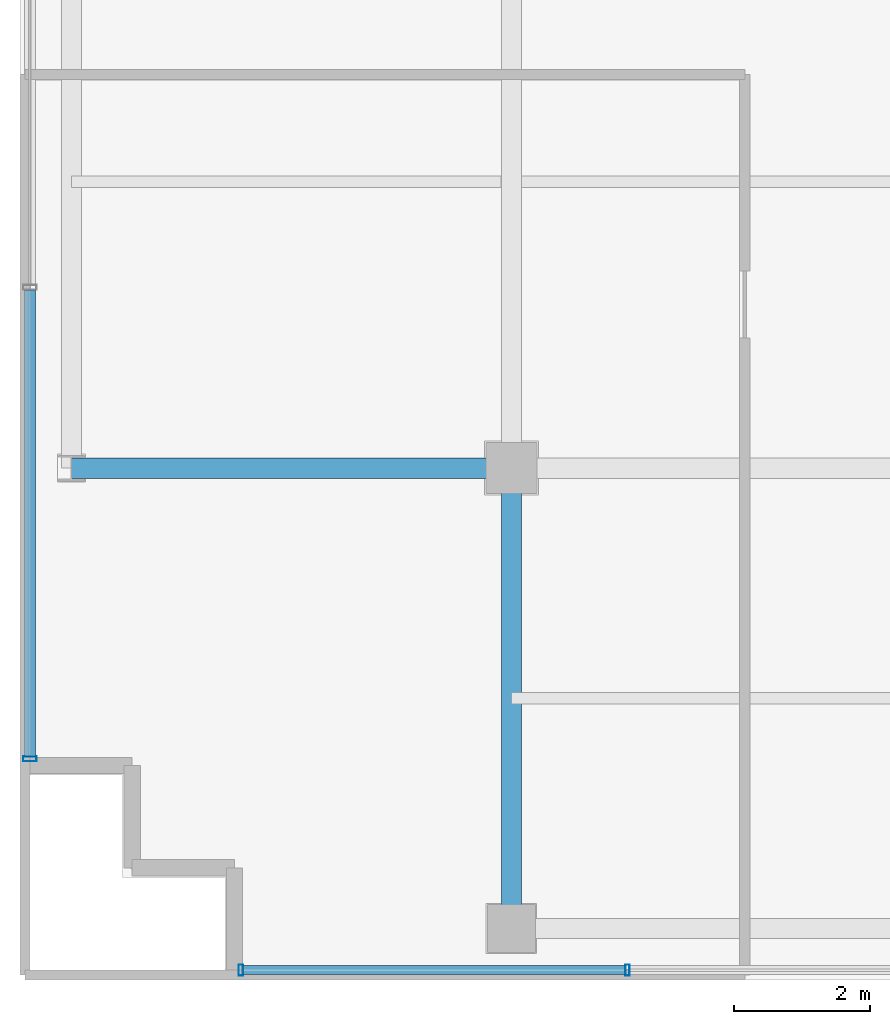
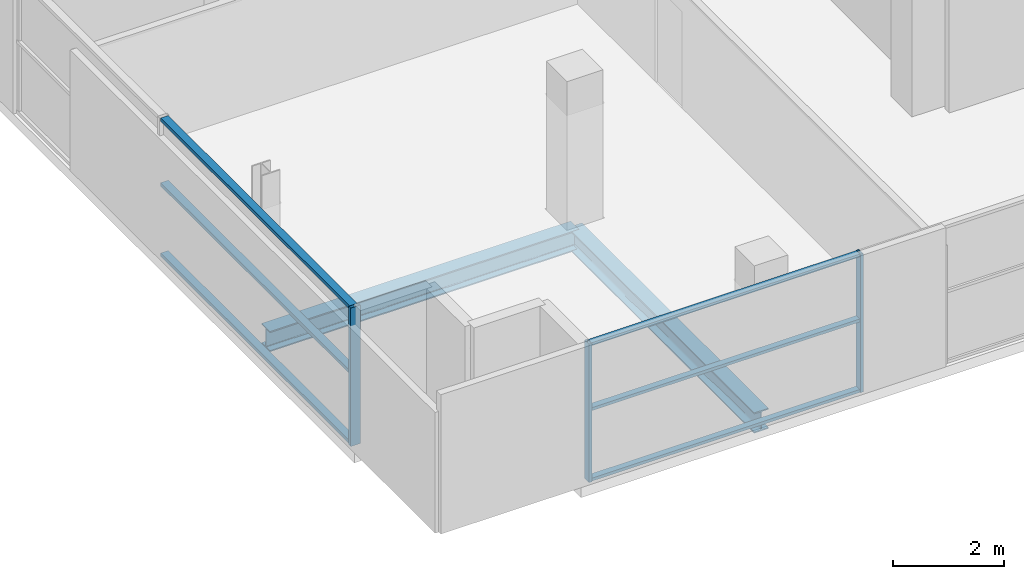
# One storey, part 2 of 29: 9 members, 2 beams, 2 elements without a shape of their own.
"""IFC4 building model written with IfcOpenShell, lengths in metres."""

from ifc_helpers import new_model, si_unit, direction, frame, origin, origin_2d, place, context, subcontext, project, spatial, hollow_rectangle, i_section, extrude, source, transform, mapped, material, layer, layer_set, material_profile, profile_set, type_object, element, aggregate, save


model = new_model("IFC4")

# Units and contexts
model_context = context("Model", 3, precision=1e-05, world=origin(), true_north=direction((0.0, 1.0)))
body_context = subcontext(model_context, "Body", "Model", "MODEL_VIEW")
ifc_project = project(units=[si_unit("LENGTHUNIT", "METRE"), si_unit("AREAUNIT", "SQUARE_METRE"), si_unit("VOLUMEUNIT", "CUBIC_METRE"), si_unit("PLANEANGLEUNIT", "RADIAN"), si_unit("MASSUNIT", "GRAM", prefix="KILO")], contexts=[model_context])

# Site, building, storey
site_placement = place(None, origin())
site = spatial("IfcSite", under=ifc_project, at=site_placement, CompositionType="ELEMENT")
building_placement = place(site_placement, origin())
building = spatial("IfcBuilding", under=site, at=building_placement, Name="Zarnakvel Exchange Tower", CompositionType="ELEMENT")
storey_placement = place(building_placement, frame((0.0, 0.0, 265.0)))
storey = spatial("IfcBuildingStorey", under=building, at=storey_placement, Name="L75", CompositionType="ELEMENT", Elevation=265.0)

# Beams
ifc_material_1 = material(Name="Steel S355", Category="steel")
ifc_material_profile_1 = material_profile(ifc_material_1, i_section(OverallWidth=0.300048828125, OverallDepth=0.449951171875, WebThickness=0.013916015625, FlangeThickness=0.02587890625, FilletRadius=0.027099609375, at=origin_2d()))
ifc_profile_set_1 = profile_set([ifc_material_profile_1], Name="Steel S355")
beam_type = type_object("IfcBeamType", Name="G-07", PredefinedType="BEAM", material=ifc_profile_set_1)
beam_1_placement = place(storey_placement, frame((-20.85009765625, -9.60009765625, -0.449951171875), z_axis=(1.0, 0.0, 0.0), x_axis=(0.0, 1.0, 0.0)))
element("IfcBeam", 1, at=beam_1_placement, inside=storey, type_object=beam_type, Name="L75 Tower E-W Frame Beam", PredefinedType="BEAM", context=body_context, shape_type="SweptSolid", body=[
    extrude(i_section(OverallWidth=0.300048828125, OverallDepth=0.449951171875, WebThickness=0.013916015625, FlangeThickness=0.02587890625, FilletRadius=0.027099609375, at=origin_2d()), origin(), (0.0, 0.0, 1.0), 6.4501953125),
])
beam_2_placement = place(storey_placement, frame((-14.39990234375, -16.35009765625, -0.449951171875), z_axis=(0.0, 1.0, 0.0), x_axis=(-1.0, 0.0, 0.0)))
element("IfcBeam", 2, at=beam_2_placement, inside=storey, type_object=beam_type, Name="L75 Tower N-S Frame Beam", PredefinedType="BEAM", context=body_context, shape_type="SweptSolid", body=[
    extrude(i_section(OverallWidth=0.300048828125, OverallDepth=0.449951171875, WebThickness=0.013916015625, FlangeThickness=0.02587890625, FilletRadius=0.027099609375, at=origin_2d()), origin(), (0.0, 0.0, 1.0), 6.75),
])

# Curtain wall, members
ifc_material_2 = material(Name="Architectural Bronze Anodised Aluminium", Category="aluminium")
ifc_layer_1 = layer(ifc_material_2, 0.199951171875)
ifc_layer_set_1 = layer_set([ifc_layer_1], Name="Architectural Bronze Anodised Aluminium")
curtain_wall_type_1 = type_object("IfcCurtainWallType", Name="CW-04", PredefinedType="NOTDEFINED", material=ifc_layer_set_1)
curtain_wall_1_placement = place(storey_placement, origin())
curtain_wall_1 = element("IfcCurtainWall", 3, at=curtain_wall_1_placement, inside=storey, type_object=curtain_wall_type_1, Name="L75 Curtain Wall CW-L75-W1 (CW-04)", PredefinedType="NOTDEFINED")
ifc_material_profile_2 = material_profile(ifc_material_2, hollow_rectangle(XDim=0.199951171875, YDim=0.074951171875, WallThickness=0.0048828125, at=origin_2d()))
ifc_profile_set_2 = profile_set([ifc_material_profile_2], Name="Architectural Bronze Anodised Aluminium")
member_type_1 = type_object("IfcMemberType", Name="CWM-04", PredefinedType="MULLION", material=ifc_profile_set_2)
shared_shape_1 = source(origin(), body_context, "Body", "SweptSolid", [
    extrude(hollow_rectangle(XDim=0.199951171875, YDim=0.074951171875, WallThickness=0.0048828125, at=origin_2d()), origin(), (0.0, 0.0, 1.0), 3.054931640625),
])
member_1_placement = place(storey_placement, frame((-21.4599609375, -13.862548828125, 0.0), z_axis=(0.0, 0.0, 1.0), x_axis=(-1.0, 0.0, 0.0)))
member_1 = element("IfcMember", 4, at=member_1_placement, type_object=member_type_1, Name="CW-04 mullion 1", PredefinedType="MULLION", context=body_context, shape_type="MappedRepresentation", body=[
    mapped(shared_shape_1, transform((0.0, 0.0, 0.0), x_axis=(1.0, 0.0, 0.0), y_axis=(0.0, 1.0, 0.0), z_axis=(0.0, 0.0, 1.0), scale=1.0)),
])
ifc_material_profile_3 = material_profile(ifc_material_2, hollow_rectangle(XDim=0.159912109375, YDim=0.074951171875, WallThickness=0.00390625, at=origin_2d()))
ifc_profile_set_3 = profile_set([ifc_material_profile_3], Name="Architectural Bronze Anodised Aluminium")
member_type_2 = type_object("IfcMemberType", Name="CWT-04", PredefinedType="USERDEFINED", material=ifc_profile_set_3)
shared_shape_2 = source(origin(), body_context, "Body", "SweptSolid", [
    extrude(hollow_rectangle(XDim=0.159912109375, YDim=0.074951171875, WallThickness=0.00390625, at=origin_2d()), origin(), (0.0, 0.0, 1.0), 6.83740234375),
])
member_2_placement = place(storey_placement, frame((-21.4599609375, -13.824951171875, 0.03759765625), z_axis=(0.0, 1.0, 0.0), x_axis=(-1.0, 0.0, 0.0)))
member_2 = element("IfcMember", 5, at=member_2_placement, type_object=member_type_2, Name="CW-04 transom 1.1", ObjectType="TRANSOM", PredefinedType="USERDEFINED", context=body_context, shape_type="MappedRepresentation", body=[
    mapped(shared_shape_2, transform((0.0, 0.0, 0.0), x_axis=(1.0, 0.0, 0.0), y_axis=(0.0, 1.0, 0.0), z_axis=(0.0, 0.0, 1.0), scale=1.0)),
])
member_3_placement = place(storey_placement, frame((-21.4599609375, -13.824951171875, 1.588623046875), z_axis=(0.0, 1.0, 0.0), x_axis=(-1.0, 0.0, 0.0)))
member_3 = element("IfcMember", 6, at=member_3_placement, type_object=member_type_2, Name="CW-04 transom 1.2", ObjectType="TRANSOM", PredefinedType="USERDEFINED", context=body_context, shape_type="MappedRepresentation", body=[
    mapped(shared_shape_2, transform((0.0, 0.0, 0.0), x_axis=(1.0, 0.0, 0.0), y_axis=(0.0, 1.0, 0.0), z_axis=(0.0, 0.0, 1.0), scale=1.0)),
])
member_4_placement = place(storey_placement, frame((-21.4599609375, -13.824951171875, 3.017578125), z_axis=(0.0, 1.0, 0.0), x_axis=(-1.0, 0.0, 0.0)))
member_4 = element("IfcMember", 7, at=member_4_placement, type_object=member_type_2, Name="CW-04 transom 1.3", ObjectType="TRANSOM", PredefinedType="USERDEFINED", context=body_context, shape_type="MappedRepresentation", body=[
    mapped(shared_shape_2, transform((0.0, 0.0, 0.0), x_axis=(1.0, 0.0, 0.0), y_axis=(0.0, 1.0, 0.0), z_axis=(0.0, 0.0, 1.0), scale=1.0)),
])
aggregate(curtain_wall_1, [member_1, member_2, member_3, member_4])

ifc_layer_2 = layer(ifc_material_2, 0.159912109375)
ifc_layer_set_2 = layer_set([ifc_layer_2], Name="Architectural Bronze Anodised Aluminium")
curtain_wall_type_2 = type_object("IfcCurtainWallType", Name="CW-06", PredefinedType="NOTDEFINED", material=ifc_layer_set_2)
curtain_wall_2_placement = place(storey_placement, origin())
curtain_wall_2 = element("IfcCurtainWall", 8, at=curtain_wall_2_placement, inside=storey, type_object=curtain_wall_type_2, Name="L75 Curtain Wall CW-L75-NSW (CW-06)", PredefinedType="NOTDEFINED")
ifc_material_profile_4 = material_profile(ifc_material_2, hollow_rectangle(XDim=0.1298828125, YDim=0.06494140625, WallThickness=0.00390625, at=origin_2d()))
ifc_profile_set_4 = profile_set([ifc_material_profile_4], Name="Architectural Bronze Anodised Aluminium")
member_type_3 = type_object("IfcMemberType", Name="CWT-06", PredefinedType="USERDEFINED", material=ifc_profile_set_4)
shared_shape_3 = source(origin(), body_context, "Body", "SweptSolid", [
    extrude(hollow_rectangle(XDim=0.1298828125, YDim=0.06494140625, WallThickness=0.00390625, at=origin_2d()), origin(), (0.0, 0.0, 1.0), 5.6025390625),
])
member_5_placement = place(storey_placement, frame((-18.3349609375, -16.9599609375, 0.032470703125), z_axis=(1.0, 0.0, 0.0), x_axis=(0.0, 1.0, 0.0)))
member_5 = element("IfcMember", 9, at=member_5_placement, type_object=member_type_3, Name="CW-06 transom 1.1", ObjectType="TRANSOM", PredefinedType="USERDEFINED", context=body_context, shape_type="MappedRepresentation", body=[
    mapped(shared_shape_3, transform((0.0, 0.0, 0.0), x_axis=(1.0, 0.0, 0.0), y_axis=(0.0, 1.0, 0.0), z_axis=(0.0, 0.0, 1.0), scale=1.0)),
])
member_6_placement = place(storey_placement, frame((-18.3349609375, -16.9599609375, 1.588623046875), z_axis=(1.0, 0.0, 0.0), x_axis=(0.0, 1.0, 0.0)))
member_6 = element("IfcMember", 10, at=member_6_placement, type_object=member_type_3, Name="CW-06 transom 1.2", ObjectType="TRANSOM", PredefinedType="USERDEFINED", context=body_context, shape_type="MappedRepresentation", body=[
    mapped(shared_shape_3, transform((0.0, 0.0, 0.0), x_axis=(1.0, 0.0, 0.0), y_axis=(0.0, 1.0, 0.0), z_axis=(0.0, 0.0, 1.0), scale=1.0)),
])
member_7_placement = place(storey_placement, frame((-18.3349609375, -16.9599609375, 3.0224609375), z_axis=(1.0, 0.0, 0.0), x_axis=(0.0, 1.0, 0.0)))
member_7 = element("IfcMember", 11, at=member_7_placement, type_object=member_type_3, Name="CW-06 transom 1.3", ObjectType="TRANSOM", PredefinedType="USERDEFINED", context=body_context, shape_type="MappedRepresentation", body=[
    mapped(shared_shape_3, transform((0.0, 0.0, 0.0), x_axis=(1.0, 0.0, 0.0), y_axis=(0.0, 1.0, 0.0), z_axis=(0.0, 0.0, 1.0), scale=1.0)),
])
ifc_material_profile_5 = material_profile(ifc_material_2, hollow_rectangle(XDim=0.159912109375, YDim=0.06494140625, WallThickness=0.00390625, at=origin_2d()))
ifc_profile_set_5 = profile_set([ifc_material_profile_5], Name="Architectural Bronze Anodised Aluminium")
member_type_4 = type_object("IfcMemberType", Name="CWM-06", PredefinedType="MULLION", material=ifc_profile_set_5)
shared_shape_4 = source(origin(), body_context, "Body", "SweptSolid", [
    extrude(hollow_rectangle(XDim=0.159912109375, YDim=0.06494140625, WallThickness=0.00390625, at=origin_2d()), origin(), (0.0, 0.0, 1.0), 3.054931640625),
])
member_8_placement = place(storey_placement, frame((-18.367431640625, -16.9599609375, 0.0), z_axis=(0.0, 0.0, 1.0), x_axis=(0.0, 1.0, 0.0)))
member_8 = element("IfcMember", 12, at=member_8_placement, type_object=member_type_4, Name="CW-06 mullion 1", PredefinedType="MULLION", context=body_context, shape_type="MappedRepresentation", body=[
    mapped(shared_shape_4, transform((0.0, 0.0, 0.0), x_axis=(1.0, 0.0, 0.0), y_axis=(0.0, 1.0, 0.0), z_axis=(0.0, 0.0, 1.0), scale=1.0)),
])
member_9_placement = place(storey_placement, frame((-12.699951171875, -16.9599609375, 0.0), z_axis=(0.0, 0.0, 1.0), x_axis=(0.0, 1.0, 0.0)))
member_9 = element("IfcMember", 13, at=member_9_placement, type_object=member_type_4, Name="CW-06 mullion 2", PredefinedType="MULLION", context=body_context, shape_type="MappedRepresentation", body=[
    mapped(shared_shape_4, transform((0.0, 0.0, 0.0), x_axis=(1.0, 0.0, 0.0), y_axis=(0.0, 1.0, 0.0), z_axis=(0.0, 0.0, 1.0), scale=1.0)),
])
aggregate(curtain_wall_2, [member_8, member_9, member_5, member_6, member_7])

save(model, "model.ifc")
